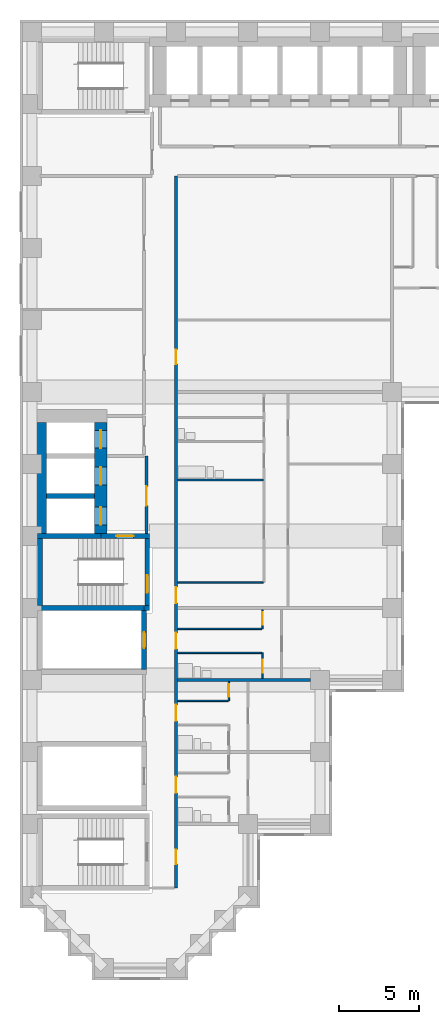
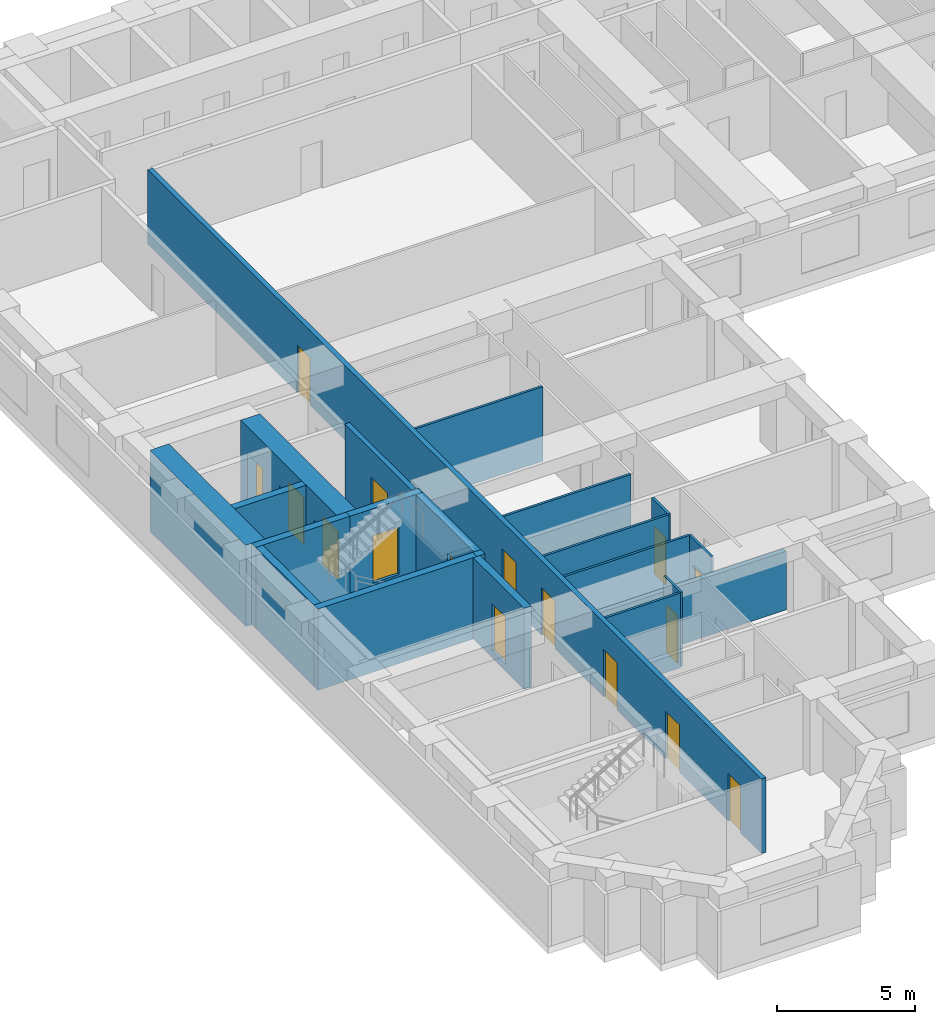
# One storey, part 3 of 12: 21 walls, 16 doors, 16 openings.
"""IFC4 building model written with IfcOpenShell, lengths in metres."""

from ifc_helpers import new_model, si_unit, direction, frame, frame_2d, origin, place, context, subcontext, project, spatial, rectangle, extrude, material, layer, layer_set, type_object, element, fill, save


model = new_model("IFC4")

# Units and contexts
model_context = context("Model", 3, precision=1e-05, world=origin(), true_north=direction((0.0, 1.0)))
body_context = subcontext(model_context, "Body", "Model", "MODEL_VIEW")
ifc_project = project(units=[si_unit("LENGTHUNIT", "METRE"), si_unit("AREAUNIT", "SQUARE_METRE"), si_unit("VOLUMEUNIT", "CUBIC_METRE"), si_unit("PLANEANGLEUNIT", "RADIAN"), si_unit("MASSUNIT", "GRAM", prefix="KILO")], contexts=[model_context])

# Site, building, storey
site_placement = place(None, origin())
site = spatial("IfcSite", under=ifc_project, at=site_placement, CompositionType="ELEMENT")
building_placement = place(site_placement, origin())
building = spatial("IfcBuilding", under=site, at=building_placement, Name="Firuza Court", CompositionType="ELEMENT")
storey_placement = place(building_placement, frame((0.0, 0.0, 43.39990234375)))
storey = spatial("IfcBuildingStorey", under=building, at=storey_placement, Name="L09", CompositionType="ELEMENT", Elevation=43.39990234375)

# Walls
ifc_material_1 = material(Name="Moisture-resistant gypsum board partition")
ifc_layer_1 = layer(ifc_material_1, 0.10009765625)
ifc_layer_set_1 = layer_set([ifc_layer_1], Name="Moisture-resistant gypsum board partition")
wall_type_1 = type_object("IfcWallType", Name="Bathroom partition 100", PredefinedType="PLUMBINGWALL", material=ifc_layer_set_1)
wall_1_placement = place(storey_placement, frame((9.10009765625, 19.699951171875, 0.0), z_axis=(0.0, 0.0, 1.0), x_axis=(1.0, 0.0, 0.0)))
element("IfcWall", 1, at=wall_1_placement, inside=storey, type_object=wall_type_1, Name="Bathroom partition 100 L09", PredefinedType="PLUMBINGWALL", context=body_context, shape_type="SweptSolid", body=[
    extrude(rectangle(XDim=5.25, YDim=0.10009765625, at=frame_2d((2.625, 0.0))), origin(), (0.0, 0.0, 1.0), 3.300048828125),
])
wall_2_placement = place(storey_placement, frame((9.10009765625, 30.5, 0.0), z_axis=(0.0, 0.0, 1.0), x_axis=(1.0, 0.0, 0.0)))
element("IfcWall", 2, at=wall_2_placement, inside=storey, type_object=wall_type_1, Name="Bathroom partition 100 L09", PredefinedType="PLUMBINGWALL", context=body_context, shape_type="SweptSolid", body=[
    extrude(rectangle(XDim=5.349853515625, YDim=0.10009765625, at=frame_2d((2.6748046875, 0.0))), origin(), (0.0, 0.0, 1.0), 3.300048828125),
])
ifc_material_2 = material(Name="Concrete C60/75", Category="concrete")
ifc_layer_2 = layer(ifc_material_2, 0.300048828125)
ifc_layer_set_2 = layer_set([ifc_layer_2], Name="Concrete C60/75")
wall_type_2 = type_object("IfcWallType", Name="Core wall 300 C60/75", PredefinedType="SHEAR", material=ifc_layer_set_2)
wall_3_placement = place(storey_placement, frame((0.35009765625, 22.5, -0.2998046875), z_axis=(0.0, 0.0, 1.0), x_axis=(1.0, 0.0, 0.0)))
element("IfcWall", 3, at=wall_3_placement, inside=storey, type_object=wall_type_2, Name="Core wall riser L09", PredefinedType="SHEAR", context=body_context, shape_type="SweptSolid", body=[
    extrude(rectangle(XDim=6.64990234375, YDim=0.300048828125, at=frame_2d((3.324951171875, 0.0))), origin(), (0.0, 0.0, 1.0), 3.599853515625),
])
wall_4_placement = place(storey_placement, frame((0.35009765625, 27.0, -0.2998046875), z_axis=(0.0, 0.0, 1.0), x_axis=(1.0, 0.0, 0.0)))
element("IfcWall", 4, at=wall_4_placement, inside=storey, type_object=wall_type_2, Name="Core wall lift shaft L09", PredefinedType="SHEAR", context=body_context, shape_type="SweptSolid", body=[
    extrude(rectangle(XDim=3.949951171875, YDim=0.300048828125, at=frame_2d((1.97509765625, 0.0))), origin(), (0.0, 0.0, 1.0), 3.599853515625),
])
wall_5_placement = place(storey_placement, frame((0.5, 22.64990234375, -0.2998046875), z_axis=(0.0, 0.0, 1.0), x_axis=(0.0, 1.0, 0.0)))
element("IfcWall", 5, at=wall_5_placement, inside=storey, type_object=wall_type_2, Name="Core wall stair L09", PredefinedType="SHEAR", context=body_context, shape_type="SweptSolid", body=[
    extrude(rectangle(XDim=4.2001953125, YDim=0.300048828125, at=frame_2d((2.10009765625, 0.0))), origin(), (0.0, 0.0, 1.0), 3.599853515625),
])
wall_6_placement = place(storey_placement, frame((0.89990234375, 29.5, -0.2998046875), z_axis=(0.0, 0.0, 1.0), x_axis=(1.0, 0.0, 0.0)))
element("IfcWall", 6, at=wall_6_placement, inside=storey, type_object=wall_type_2, Name="Core wall lift shaft L09", PredefinedType="SHEAR", context=body_context, shape_type="SweptSolid", body=[
    extrude(rectangle(XDim=3.0, YDim=0.300048828125, at=frame_2d((1.5, 0.0))), origin(), (0.0, 0.0, 1.0), 3.599853515625),
])

# Wall, opening, door
wall_7_placement = place(storey_placement, frame((4.300048828125, 27.0, -0.2998046875), z_axis=(0.0, 0.0, 1.0), x_axis=(1.0, 0.0, 0.0)))
wall_7 = element("IfcWall", 7, at=wall_7_placement, inside=storey, type_object=wall_type_2, Name="Core wall stair L09", PredefinedType="SHEAR", context=body_context, shape_type="SweptSolid", body=[
    extrude(rectangle(XDim=3.050048828125, YDim=0.300048828125, at=frame_2d((1.52490234375, 0.0))), origin(), (0.0, 0.0, 1.0), 3.599853515625),
])
opening_1_placement = place(wall_7_placement, frame((0.949951171875, 0.0, 0.300048828125)))
opening_1 = element("IfcOpeningElement", 8, at=opening_1_placement, cuts=wall_7, Name="Opening D09014", PredefinedType="OPENING", context=body_context, shape_type="SweptSolid", body=[
    extrude(rectangle(XDim=1.10009765625, YDim=2.10009765625, at=frame_2d((0.550048828125, 1.050048828125))), frame((0.0, 0.162109375, 0.0), z_axis=(0.0, -1.0, 0.0), x_axis=(1.0, 0.0, 0.0)), (0.0, 0.0, 1.0), 0.323974609375),
])
ifc_material_3 = material(Name="Timber door leaf in hardwood frame", Category="wood")
door_type_1 = type_object("IfcDoorType", Name="Stair door 1100", OperationType="SINGLE_SWING_LEFT", PredefinedType="DOOR", material=ifc_material_3)
door_1_placement = place(opening_1_placement, frame((1.10009765625, 0.0, 0.0), z_axis=(0.0, 0.0, 1.0), x_axis=(-1.0, 0.0, 0.0)))
door_1 = element("IfcDoor", 9, at=door_1_placement, inside=storey, type_object=door_type_1, Name="Fire-fighting lobby door", OperationType="SINGLE_SWING_LEFT", OverallHeight=2.10009765625, OverallWidth=1.10009765625, PredefinedType="DOOR", context=body_context, shape_type="SweptSolid", body=[
    extrude(rectangle(XDim=1.10009765625, YDim=2.10009765625, at=frame_2d((0.550048828125, 1.050048828125))), frame((0.0, 0.02490234375, 0.0), z_axis=(0.0, -1.0, 0.0), x_axis=(1.0, 0.0, 0.0)), (0.0, 0.0, 1.0), 0.050048828125),
])
fill(opening_1, door_1)

wall_8_placement = place(storey_placement, frame((7.0, 18.64990234375, -0.2998046875), z_axis=(0.0, 0.0, 1.0), x_axis=(0.0, 1.0, 0.0)))
wall_8 = element("IfcWall", 10, at=wall_8_placement, inside=storey, type_object=wall_type_2, Name="Core wall riser L09", PredefinedType="SHEAR", context=body_context, shape_type="SweptSolid", body=[
    extrude(rectangle(XDim=3.7001953125, YDim=0.300048828125, at=frame_2d((1.85009765625, 0.0))), origin(), (0.0, 0.0, 1.0), 3.599853515625),
])
opening_2_placement = place(wall_8_placement, frame((1.35009765625, 0.0, 0.300048828125)))
opening_2 = element("IfcOpeningElement", 11, at=opening_2_placement, cuts=wall_8, Name="Opening D09010", PredefinedType="OPENING", context=body_context, shape_type="SweptSolid", body=[
    extrude(rectangle(XDim=1.0, YDim=2.10009765625, at=frame_2d((0.5, 1.050048828125))), frame((0.0, 0.162109375, 0.0), z_axis=(0.0, -1.0, 0.0), x_axis=(1.0, 0.0, 0.0)), (0.0, 0.0, 1.0), 0.323974609375),
])
ifc_material_4 = material(Name="Timber door leaf in hardwood frame", Category="wood")
door_type_2 = type_object("IfcDoorType", Name="Riser door 1000", OperationType="SINGLE_SWING_LEFT", PredefinedType="DOOR", material=ifc_material_4)
door_2_placement = place(opening_2_placement, origin())
door_2 = element("IfcDoor", 12, at=door_2_placement, inside=storey, type_object=door_type_2, Name="Riser door R1", OperationType="SINGLE_SWING_LEFT", OverallHeight=2.10009765625, OverallWidth=1.0, PredefinedType="DOOR", context=body_context, shape_type="SweptSolid", body=[
    extrude(rectangle(XDim=1.0, YDim=2.10009765625, at=frame_2d((0.5, 1.050048828125))), frame((0.0, 0.02490234375, 0.0), z_axis=(0.0, -1.0, 0.0), x_axis=(1.0, 0.0, 0.0)), (0.0, 0.0, 1.0), 0.050048828125),
])
fill(opening_2, door_2)

# Wall
wall_9_placement = place(storey_placement, frame((7.0, 22.5, -0.2998046875), z_axis=(0.0, 0.0, 1.0), x_axis=(1.0, 0.0, 0.0)))
element("IfcWall", 13, at=wall_9_placement, inside=storey, type_object=wall_type_2, Name="Core wall stair L09", PredefinedType="SHEAR", context=body_context, shape_type="SweptSolid", body=[
    extrude(rectangle(XDim=0.35009765625, YDim=0.300048828125, at=frame_2d((0.175048828125, 0.0))), origin(), (0.0, 0.0, 1.0), 3.599853515625),
])

# Wall, opening, door
wall_10_placement = place(storey_placement, frame((7.199951171875, 22.64990234375, -0.2998046875), z_axis=(0.0, 0.0, 1.0), x_axis=(0.0, 1.0, 0.0)))
wall_10 = element("IfcWall", 14, at=wall_10_placement, inside=storey, type_object=wall_type_2, Name="Core wall stair L09", PredefinedType="SHEAR", context=body_context, shape_type="SweptSolid", body=[
    extrude(rectangle(XDim=4.2001953125, YDim=0.300048828125, at=frame_2d((2.10009765625, 0.0))), origin(), (0.0, 0.0, 1.0), 3.599853515625),
])
opening_3_placement = place(wall_10_placement, frame((0.800048828125, 0.0, 0.300048828125)))
opening_3 = element("IfcOpeningElement", 15, at=opening_3_placement, cuts=wall_10, Name="Opening D09015", PredefinedType="OPENING", context=body_context, shape_type="SweptSolid", body=[
    extrude(rectangle(XDim=1.10009765625, YDim=2.10009765625, at=frame_2d((0.550048828125, 1.050048828125))), frame((0.0, 0.162109375, 0.0), z_axis=(0.0, -1.0, 0.0), x_axis=(1.0, 0.0, 0.0)), (0.0, 0.0, 1.0), 0.323974609375),
])
door_3_placement = place(opening_3_placement, origin())
door_3 = element("IfcDoor", 16, at=door_3_placement, inside=storey, type_object=door_type_1, Name="Stair door S2", OperationType="SINGLE_SWING_LEFT", OverallHeight=2.10009765625, OverallWidth=1.10009765625, PredefinedType="DOOR", context=body_context, shape_type="SweptSolid", body=[
    extrude(rectangle(XDim=1.10009765625, YDim=2.10009765625, at=frame_2d((0.550048828125, 1.050048828125))), frame((0.0, 0.02490234375, 0.0), z_axis=(0.0, -1.0, 0.0), x_axis=(1.0, 0.0, 0.0)), (0.0, 0.0, 1.0), 0.050048828125),
])
fill(opening_3, door_3)

# Wall
ifc_layer_3 = layer(ifc_material_2, 0.800048828125)
ifc_layer_set_3 = layer_set([ifc_layer_3], Name="Concrete C60/75")
wall_type_3 = type_object("IfcWallType", Name="Core wall 800 C60/75", PredefinedType="SHEAR", material=ifc_layer_set_3)
wall_11_placement = place(storey_placement, frame((0.5, 27.14990234375, -0.2998046875), z_axis=(0.0, 0.0, 1.0), x_axis=(0.0, 1.0, 0.0)))
element("IfcWall", 17, at=wall_11_placement, inside=storey, type_object=wall_type_3, Name="Core wall lift shaft L09", PredefinedType="SHEAR", context=body_context, shape_type="SweptSolid", body=[
    extrude(rectangle(XDim=6.9501953125, YDim=0.800048828125, at=frame_2d((3.47509765625, 0.0))), origin(), (0.0, 0.0, 1.0), 3.599853515625),
])

# Wall, openings, doors
wall_12_placement = place(storey_placement, frame((4.300048828125, 27.14990234375, -0.2998046875), z_axis=(0.0, 0.0, 1.0), x_axis=(0.0, 1.0, 0.0)))
wall_12 = element("IfcWall", 18, at=wall_12_placement, inside=storey, type_object=wall_type_3, Name="Core wall lift shaft L09", PredefinedType="SHEAR", context=body_context, shape_type="SweptSolid", body=[
    extrude(rectangle(XDim=6.9501953125, YDim=0.800048828125, at=frame_2d((3.47509765625, 0.0))), origin(), (0.0, 0.0, 1.0), 3.599853515625),
])
opening_4_placement = place(wall_12_placement, frame((3.050048828125, 0.0, 0.300048828125)))
opening_4 = element("IfcOpeningElement", 19, at=opening_4_placement, cuts=wall_12, Name="Opening LD-FL1-09", PredefinedType="OPENING", context=body_context, shape_type="SweptSolid", body=[
    extrude(rectangle(XDim=1.10009765625, YDim=2.10009765625, at=frame_2d((0.550048828125, 1.050048828125))), frame((0.0, 0.412109375, 0.0), z_axis=(0.0, -1.0, 0.0), x_axis=(1.0, 0.0, 0.0)), (0.0, 0.0, 1.0), 0.823974609375),
])
opening_5_placement = place(wall_12_placement, frame((0.550048828125, 0.0, 0.300048828125)))
opening_5 = element("IfcOpeningElement", 20, at=opening_5_placement, cuts=wall_12, Name="Opening LD-FL2-09", PredefinedType="OPENING", context=body_context, shape_type="SweptSolid", body=[
    extrude(rectangle(XDim=1.10009765625, YDim=2.10009765625, at=frame_2d((0.550048828125, 1.050048828125))), frame((0.0, 0.412109375, 0.0), z_axis=(0.0, -1.0, 0.0), x_axis=(1.0, 0.0, 0.0)), (0.0, 0.0, 1.0), 0.823974609375),
])
opening_6_placement = place(wall_12_placement, frame((5.35009765625, 0.0, 0.300048828125)))
opening_6 = element("IfcOpeningElement", 21, at=opening_6_placement, cuts=wall_12, Name="Opening LD-SL1-09", PredefinedType="OPENING", context=body_context, shape_type="SweptSolid", body=[
    extrude(rectangle(XDim=1.10009765625, YDim=2.10009765625, at=frame_2d((0.550048828125, 1.050048828125))), frame((0.0, 0.412109375, 0.0), z_axis=(0.0, -1.0, 0.0), x_axis=(1.0, 0.0, 0.0)), (0.0, 0.0, 1.0), 0.823974609375),
])
ifc_material_5 = material(Name="Stainless steel 1.4301 door leaf", Category="steel")
door_type_3 = type_object("IfcDoorType", Name="Lift landing door 1100", OperationType="SLIDING_TO_LEFT", PredefinedType="DOOR", material=ifc_material_5)
door_4_placement = place(opening_4_placement, origin())
door_4 = element("IfcDoor", 22, at=door_4_placement, inside=storey, type_object=door_type_3, Name="Landing door FL1", OperationType="SLIDING_TO_LEFT", OverallHeight=2.10009765625, OverallWidth=1.10009765625, PredefinedType="DOOR", context=body_context, shape_type="SweptSolid", body=[
    extrude(rectangle(XDim=1.10009765625, YDim=2.10009765625, at=frame_2d((0.550048828125, 1.050048828125))), frame((0.0, 0.02490234375, 0.0), z_axis=(0.0, -1.0, 0.0), x_axis=(1.0, 0.0, 0.0)), (0.0, 0.0, 1.0), 0.050048828125),
])
fill(opening_4, door_4)
door_5_placement = place(opening_5_placement, origin())
door_5 = element("IfcDoor", 23, at=door_5_placement, inside=storey, type_object=door_type_3, Name="Landing door FL2", OperationType="SLIDING_TO_LEFT", OverallHeight=2.10009765625, OverallWidth=1.10009765625, PredefinedType="DOOR", context=body_context, shape_type="SweptSolid", body=[
    extrude(rectangle(XDim=1.10009765625, YDim=2.10009765625, at=frame_2d((0.550048828125, 1.050048828125))), frame((0.0, 0.02490234375, 0.0), z_axis=(0.0, -1.0, 0.0), x_axis=(1.0, 0.0, 0.0)), (0.0, 0.0, 1.0), 0.050048828125),
])
fill(opening_5, door_5)
door_6_placement = place(opening_6_placement, origin())
door_6 = element("IfcDoor", 24, at=door_6_placement, inside=storey, type_object=door_type_3, Name="Landing door SL1", OperationType="SLIDING_TO_LEFT", OverallHeight=2.10009765625, OverallWidth=1.10009765625, PredefinedType="DOOR", context=body_context, shape_type="SweptSolid", body=[
    extrude(rectangle(XDim=1.10009765625, YDim=2.10009765625, at=frame_2d((0.550048828125, 1.050048828125))), frame((0.0, 0.02490234375, 0.0), z_axis=(0.0, -1.0, 0.0), x_axis=(1.0, 0.0, 0.0)), (0.0, 0.0, 1.0), 0.050048828125),
])
fill(opening_6, door_6)

ifc_material_6 = material(Name="Blockwork, plastered both sides", Category="masonry")
ifc_layer_4 = layer(ifc_material_6, 0.199951171875)
ifc_layer_set_4 = layer_set([ifc_layer_4], Name="Blockwork, plastered both sides")
wall_type_4 = type_object("IfcWallType", Name="Corridor wall 200", PredefinedType="PARTITIONING", material=ifc_layer_set_4)
wall_13_placement = place(storey_placement, frame((9.0, 5.0, 0.0), z_axis=(0.0, 0.0, 1.0), x_axis=(0.0, 1.0, 0.0)))
wall_13 = element("IfcWall", 25, at=wall_13_placement, inside=storey, type_object=wall_type_4, Name="Corridor wall 200 L09", PredefinedType="PARTITIONING", context=body_context, shape_type="SweptSolid", body=[
    extrude(rectangle(XDim=44.5, YDim=0.199951171875, at=frame_2d((22.25, 0.0))), origin(), (0.0, 0.0, 1.0), 3.300048828125),
])
opening_7_placement = place(wall_13_placement, frame((17.800048828125, 0.0, 0.0)))
opening_7 = element("IfcOpeningElement", 26, at=opening_7_placement, cuts=wall_13, Name="Opening D09019", PredefinedType="OPENING", context=body_context, shape_type="SweptSolid", body=[
    extrude(rectangle(XDim=1.0, YDim=2.10009765625, at=frame_2d((0.5, 1.050048828125))), frame((0.0, 0.11181640625, 0.0), z_axis=(0.0, -1.0, 0.0), x_axis=(1.0, 0.0, 0.0)), (0.0, 0.0, 1.0), 0.223876953125),
])
opening_8_placement = place(wall_13_placement, frame((14.949951171875, 0.0, 0.0)))
opening_8 = element("IfcOpeningElement", 27, at=opening_8_placement, cuts=wall_13, Name="Opening D09020", PredefinedType="OPENING", context=body_context, shape_type="SweptSolid", body=[
    extrude(rectangle(XDim=1.0, YDim=2.10009765625, at=frame_2d((0.5, 1.050048828125))), frame((0.0, 0.11181640625, 0.0), z_axis=(0.0, -1.0, 0.0), x_axis=(1.0, 0.0, 0.0)), (0.0, 0.0, 1.0), 0.223876953125),
])
opening_9_placement = place(wall_13_placement, frame((10.449951171875, 0.0, 0.0)))
opening_9 = element("IfcOpeningElement", 28, at=opening_9_placement, cuts=wall_13, Name="Opening D09021", PredefinedType="OPENING", context=body_context, shape_type="SweptSolid", body=[
    extrude(rectangle(XDim=1.0, YDim=2.10009765625, at=frame_2d((0.5, 1.050048828125))), frame((0.0, 0.11181640625, 0.0), z_axis=(0.0, -1.0, 0.0), x_axis=(1.0, 0.0, 0.0)), (0.0, 0.0, 1.0), 0.223876953125),
])
opening_10_placement = place(wall_13_placement, frame((5.949951171875, 0.0, 0.0)))
opening_10 = element("IfcOpeningElement", 29, at=opening_10_placement, cuts=wall_13, Name="Opening D09022", PredefinedType="OPENING", context=body_context, shape_type="SweptSolid", body=[
    extrude(rectangle(XDim=1.0, YDim=2.10009765625, at=frame_2d((0.5, 1.050048828125))), frame((0.0, 0.11181640625, 0.0), z_axis=(0.0, -1.0, 0.0), x_axis=(1.0, 0.0, 0.0)), (0.0, 0.0, 1.0), 0.223876953125),
])
opening_11_placement = place(wall_13_placement, frame((32.75, 0.0, 0.0)))
opening_11 = element("IfcOpeningElement", 30, at=opening_11_placement, cuts=wall_13, Name="Opening D09023", PredefinedType="OPENING", context=body_context, shape_type="SweptSolid", body=[
    extrude(rectangle(XDim=0.89990234375, YDim=2.10009765625, at=frame_2d((0.449951171875, 1.050048828125))), frame((0.0, 0.11181640625, 0.0), z_axis=(0.0, -1.0, 0.0), x_axis=(1.0, 0.0, 0.0)), (0.0, 0.0, 1.0), 0.223876953125),
])
opening_12_placement = place(wall_13_placement, frame((1.5, 0.0, 0.0)))
opening_12 = element("IfcOpeningElement", 31, at=opening_12_placement, cuts=wall_13, Name="Opening D09024", PredefinedType="OPENING", context=body_context, shape_type="SweptSolid", body=[
    extrude(rectangle(XDim=0.89990234375, YDim=2.10009765625, at=frame_2d((0.449951171875, 1.050048828125))), frame((0.0, 0.11181640625, 0.0), z_axis=(0.0, -1.0, 0.0), x_axis=(1.0, 0.0, 0.0)), (0.0, 0.0, 1.0), 0.223876953125),
])
ifc_material_7 = material(Name="Timber door leaf in hardwood frame", Category="wood")
door_type_4 = type_object("IfcDoorType", Name="Flat entrance door 1000", OperationType="SINGLE_SWING_LEFT", PredefinedType="DOOR", material=ifc_material_7)
door_7_placement = place(opening_7_placement, origin())
door_7 = element("IfcDoor", 32, at=door_7_placement, inside=storey, type_object=door_type_4, Name="Flat entrance door", OperationType="SINGLE_SWING_LEFT", OverallHeight=2.10009765625, OverallWidth=1.0, PredefinedType="DOOR", context=body_context, shape_type="SweptSolid", body=[
    extrude(rectangle(XDim=1.0, YDim=2.10009765625, at=frame_2d((0.5, 1.050048828125))), frame((0.0, 0.02490234375, 0.0), z_axis=(0.0, -1.0, 0.0), x_axis=(1.0, 0.0, 0.0)), (0.0, 0.0, 1.0), 0.050048828125),
])
fill(opening_7, door_7)
door_8_placement = place(opening_8_placement, origin())
door_8 = element("IfcDoor", 33, at=door_8_placement, inside=storey, type_object=door_type_4, Name="Flat entrance door", OperationType="SINGLE_SWING_LEFT", OverallHeight=2.10009765625, OverallWidth=1.0, PredefinedType="DOOR", context=body_context, shape_type="SweptSolid", body=[
    extrude(rectangle(XDim=1.0, YDim=2.10009765625, at=frame_2d((0.5, 1.050048828125))), frame((0.0, 0.02490234375, 0.0), z_axis=(0.0, -1.0, 0.0), x_axis=(1.0, 0.0, 0.0)), (0.0, 0.0, 1.0), 0.050048828125),
])
fill(opening_8, door_8)
door_9_placement = place(opening_9_placement, origin())
door_9 = element("IfcDoor", 34, at=door_9_placement, inside=storey, type_object=door_type_4, Name="Flat entrance door", OperationType="SINGLE_SWING_LEFT", OverallHeight=2.10009765625, OverallWidth=1.0, PredefinedType="DOOR", context=body_context, shape_type="SweptSolid", body=[
    extrude(rectangle(XDim=1.0, YDim=2.10009765625, at=frame_2d((0.5, 1.050048828125))), frame((0.0, 0.02490234375, 0.0), z_axis=(0.0, -1.0, 0.0), x_axis=(1.0, 0.0, 0.0)), (0.0, 0.0, 1.0), 0.050048828125),
])
fill(opening_9, door_9)
door_10_placement = place(opening_10_placement, origin())
door_10 = element("IfcDoor", 35, at=door_10_placement, inside=storey, type_object=door_type_4, Name="Flat entrance door", OperationType="SINGLE_SWING_LEFT", OverallHeight=2.10009765625, OverallWidth=1.0, PredefinedType="DOOR", context=body_context, shape_type="SweptSolid", body=[
    extrude(rectangle(XDim=1.0, YDim=2.10009765625, at=frame_2d((0.5, 1.050048828125))), frame((0.0, 0.02490234375, 0.0), z_axis=(0.0, -1.0, 0.0), x_axis=(1.0, 0.0, 0.0)), (0.0, 0.0, 1.0), 0.050048828125),
])
fill(opening_10, door_10)
ifc_material_8 = material(Name="Timber door leaf in hardwood frame", Category="wood")
door_type_5 = type_object("IfcDoorType", Name="Room door 900 EI 30", OperationType="SINGLE_SWING_LEFT", PredefinedType="DOOR", material=ifc_material_8)
door_11_placement = place(opening_11_placement, origin())
door_11 = element("IfcDoor", 36, at=door_11_placement, inside=storey, type_object=door_type_5, Name="Fitness studio door", OperationType="SINGLE_SWING_LEFT", OverallHeight=2.10009765625, OverallWidth=0.89990234375, PredefinedType="DOOR", context=body_context, shape_type="SweptSolid", body=[
    extrude(rectangle(XDim=0.89990234375, YDim=2.10009765625, at=frame_2d((0.449951171875, 1.050048828125))), frame((0.0, 0.02490234375, 0.0), z_axis=(0.0, -1.0, 0.0), x_axis=(1.0, 0.0, 0.0)), (0.0, 0.0, 1.0), 0.050048828125),
])
fill(opening_11, door_11)
door_12_placement = place(opening_12_placement, frame((0.89990234375, 0.0, 0.0), z_axis=(0.0, 0.0, 1.0), x_axis=(-1.0, 0.0, 0.0)))
door_12 = element("IfcDoor", 37, at=door_12_placement, inside=storey, type_object=door_type_5, Name="Meeting room door", OperationType="SINGLE_SWING_LEFT", OverallHeight=2.10009765625, OverallWidth=0.89990234375, PredefinedType="DOOR", context=body_context, shape_type="SweptSolid", body=[
    extrude(rectangle(XDim=0.89990234375, YDim=2.10009765625, at=frame_2d((0.449951171875, 1.050048828125))), frame((0.0, 0.02490234375, 0.0), z_axis=(0.0, -1.0, 0.0), x_axis=(1.0, 0.0, 0.0)), (0.0, 0.0, 1.0), 0.050048828125),
])
fill(opening_12, door_12)

# Wall
ifc_material_9 = material(Name="Timber stud partition, plasterboard both sides", Category="wood")
ifc_layer_5 = layer(ifc_material_9, 0.10009765625)
ifc_layer_set_5 = layer_set([ifc_layer_5], Name="Timber stud partition, plasterboard both sides")
wall_type_5 = type_object("IfcWallType", Name="Partition wall 100", PredefinedType="PARTITIONING", material=ifc_layer_set_5)
wall_14_placement = place(storey_placement, frame((9.10009765625, 16.699951171875, 0.0), z_axis=(0.0, 0.0, 1.0), x_axis=(1.0, 0.0, 0.0)))
element("IfcWall", 38, at=wall_14_placement, inside=storey, type_object=wall_type_5, Name="Partition wall 100 L09", PredefinedType="PARTITIONING", context=body_context, shape_type="SweptSolid", body=[
    extrude(rectangle(XDim=3.14990234375, YDim=0.10009765625, at=frame_2d((1.574951171875, 0.0))), origin(), (0.0, 0.0, 1.0), 3.300048828125),
])

# Wall, opening, door
wall_15_placement = place(storey_placement, frame((12.300048828125, 16.699951171875, 0.0), z_axis=(0.0, 0.0, 1.0), x_axis=(0.0, 1.0, 0.0)))
wall_15 = element("IfcWall", 39, at=wall_15_placement, inside=storey, type_object=wall_type_5, Name="Partition wall 100 L09", PredefinedType="PARTITIONING", context=body_context, shape_type="SweptSolid", body=[
    extrude(rectangle(XDim=1.199951171875, YDim=0.10009765625, at=frame_2d((0.60009765625, 0.0))), origin(), (0.0, 0.0, 1.0), 3.300048828125),
])
opening_13_placement = place(wall_15_placement, frame((0.25, 0.0, 0.0)))
opening_13 = element("IfcOpeningElement", 40, at=opening_13_placement, cuts=wall_15, Name="Opening D09031", PredefinedType="OPENING", context=body_context, shape_type="SweptSolid", body=[
    extrude(rectangle(XDim=0.800048828125, YDim=2.10009765625, at=frame_2d((0.39990234375, 1.050048828125))), frame((0.0, 0.06201171875, 0.0), z_axis=(0.0, -1.0, 0.0), x_axis=(1.0, 0.0, 0.0)), (0.0, 0.0, 1.0), 0.1240234375),
])
ifc_material_10 = material(Name="Timber door leaf in hardwood frame", Category="wood")
door_type_6 = type_object("IfcDoorType", Name="Room door 800", OperationType="SINGLE_SWING_LEFT", PredefinedType="DOOR", material=ifc_material_10)
door_13_placement = place(opening_13_placement, origin())
door_13 = element("IfcDoor", 41, at=door_13_placement, inside=storey, type_object=door_type_6, Name="Kitchen door", OperationType="SINGLE_SWING_LEFT", OverallHeight=2.10009765625, OverallWidth=0.800048828125, PredefinedType="DOOR", context=body_context, shape_type="SweptSolid", body=[
    extrude(rectangle(XDim=0.800048828125, YDim=2.10009765625, at=frame_2d((0.39990234375, 1.050048828125))), frame((0.0, 0.02490234375, 0.0), z_axis=(0.0, -1.0, 0.0), x_axis=(1.0, 0.0, 0.0)), (0.0, 0.0, 1.0), 0.050048828125),
])
fill(opening_13, door_13)

wall_16_placement = place(storey_placement, frame((14.39990234375, 18.10009765625, 0.0), z_axis=(0.0, 0.0, 1.0), x_axis=(0.0, 1.0, 0.0)))
wall_16 = element("IfcWall", 42, at=wall_16_placement, inside=storey, type_object=wall_type_5, Name="Partition wall 100 L09", PredefinedType="PARTITIONING", context=body_context, shape_type="SweptSolid", body=[
    extrude(rectangle(XDim=1.599853515625, YDim=0.10009765625, at=frame_2d((0.7998046875, 0.0))), origin(), (0.0, 0.0, 1.0), 3.300048828125),
])
opening_14_placement = place(wall_16_placement, frame((0.35009765625, 0.0, 0.0)))
opening_14 = element("IfcOpeningElement", 43, at=opening_14_placement, cuts=wall_16, Name="Opening D09032", PredefinedType="OPENING", context=body_context, shape_type="SweptSolid", body=[
    extrude(rectangle(XDim=0.800048828125, YDim=2.10009765625, at=frame_2d((0.39990234375, 1.050048828125))), frame((0.0, 0.06201171875, 0.0), z_axis=(0.0, -1.0, 0.0), x_axis=(1.0, 0.0, 0.0)), (0.0, 0.0, 1.0), 0.1240234375),
])
ifc_material_11 = material(Name="Timber door leaf in hardwood frame", Category="wood")
door_type_7 = type_object("IfcDoorType", Name="Bathroom door 800", OperationType="SINGLE_SWING_LEFT", PredefinedType="DOOR", material=ifc_material_11)
door_14_placement = place(opening_14_placement, origin())
door_14 = element("IfcDoor", 44, at=door_14_placement, inside=storey, type_object=door_type_7, Name="Bathroom door", OperationType="SINGLE_SWING_LEFT", OverallHeight=2.10009765625, OverallWidth=0.800048828125, PredefinedType="DOOR", context=body_context, shape_type="SweptSolid", body=[
    extrude(rectangle(XDim=0.800048828125, YDim=2.10009765625, at=frame_2d((0.39990234375, 1.050048828125))), frame((0.0, 0.02490234375, 0.0), z_axis=(0.0, -1.0, 0.0), x_axis=(1.0, 0.0, 0.0)), (0.0, 0.0, 1.0), 0.050048828125),
])
fill(opening_14, door_14)

# Wall
wall_17_placement = place(storey_placement, frame((9.10009765625, 21.199951171875, 0.0), z_axis=(0.0, 0.0, 1.0), x_axis=(1.0, 0.0, 0.0)))
element("IfcWall", 45, at=wall_17_placement, inside=storey, type_object=wall_type_5, Name="Partition wall 100 L09", PredefinedType="PARTITIONING", context=body_context, shape_type="SweptSolid", body=[
    extrude(rectangle(XDim=5.25, YDim=0.10009765625, at=frame_2d((2.625, 0.0))), origin(), (0.0, 0.0, 1.0), 3.300048828125),
])

# Wall, opening, door
wall_18_placement = place(storey_placement, frame((14.39990234375, 21.199951171875, 0.0), z_axis=(0.0, 0.0, 1.0), x_axis=(0.0, 1.0, 0.0)))
wall_18 = element("IfcWall", 46, at=wall_18_placement, inside=storey, type_object=wall_type_5, Name="Partition wall 100 L09", PredefinedType="PARTITIONING", context=body_context, shape_type="SweptSolid", body=[
    extrude(rectangle(XDim=1.199951171875, YDim=0.10009765625, at=frame_2d((0.60009765625, 0.0))), origin(), (0.0, 0.0, 1.0), 3.300048828125),
])
opening_15_placement = place(wall_18_placement, frame((0.25, 0.0, 0.0)))
opening_15 = element("IfcOpeningElement", 47, at=opening_15_placement, cuts=wall_18, Name="Opening D09034", PredefinedType="OPENING", context=body_context, shape_type="SweptSolid", body=[
    extrude(rectangle(XDim=0.800048828125, YDim=2.10009765625, at=frame_2d((0.39990234375, 1.050048828125))), frame((0.0, 0.06201171875, 0.0), z_axis=(0.0, -1.0, 0.0), x_axis=(1.0, 0.0, 0.0)), (0.0, 0.0, 1.0), 0.1240234375),
])
door_15_placement = place(opening_15_placement, origin())
door_15 = element("IfcDoor", 48, at=door_15_placement, inside=storey, type_object=door_type_6, Name="Kitchen door", OperationType="SINGLE_SWING_LEFT", OverallHeight=2.10009765625, OverallWidth=0.800048828125, PredefinedType="DOOR", context=body_context, shape_type="SweptSolid", body=[
    extrude(rectangle(XDim=0.800048828125, YDim=2.10009765625, at=frame_2d((0.39990234375, 1.050048828125))), frame((0.0, 0.02490234375, 0.0), z_axis=(0.0, -1.0, 0.0), x_axis=(1.0, 0.0, 0.0)), (0.0, 0.0, 1.0), 0.050048828125),
])
fill(opening_15, door_15)

# Walls
wall_19_placement = place(storey_placement, frame((9.10009765625, 24.10009765625, 0.0), z_axis=(0.0, 0.0, 1.0), x_axis=(1.0, 0.0, 0.0)))
element("IfcWall", 49, at=wall_19_placement, inside=storey, type_object=wall_type_5, Name="Partition wall 100 L09", PredefinedType="PARTITIONING", context=body_context, shape_type="SweptSolid", body=[
    extrude(rectangle(XDim=5.349853515625, YDim=0.10009765625, at=frame_2d((2.6748046875, 0.0))), origin(), (0.0, 0.0, 1.0), 3.300048828125),
])
ifc_layer_6 = layer(ifc_material_6, 0.199951171875)
ifc_layer_set_6 = layer_set([ifc_layer_6], Name="Blockwork, plastered both sides")
wall_type_6 = type_object("IfcWallType", Name="Party wall 200", PredefinedType="PARTITIONING", material=ifc_layer_set_6)
wall_20_placement = place(storey_placement, frame((9.10009765625, 18.0, 0.0), z_axis=(0.0, 0.0, 1.0), x_axis=(1.0, 0.0, 0.0)))
element("IfcWall", 50, at=wall_20_placement, inside=storey, type_object=wall_type_6, Name="Party wall 200 L09", PredefinedType="PARTITIONING", context=body_context, shape_type="SweptSolid", body=[
    extrude(rectangle(XDim=8.2998046875, YDim=0.199951171875, at=frame_2d((4.14990234375, 0.0))), origin(), (0.0, 0.0, 1.0), 2.60009765625),
])

# Wall, opening, door
ifc_material_12 = material(Name="Blockwork, fire-rated", Category="masonry")
ifc_layer_7 = layer(ifc_material_12, 0.199951171875)
ifc_layer_set_7 = layer_set([ifc_layer_7], Name="Blockwork, fire-rated")
wall_type_7 = type_object("IfcWallType", Name="Shaft wall 200", PredefinedType="PARTITIONING", material=ifc_layer_set_7)
wall_21_placement = place(storey_placement, frame((7.14990234375, 27.169921875, 0.0), z_axis=(0.0, 0.0, 1.0), x_axis=(0.0, 1.0, 0.0)))
wall_21 = element("IfcWall", 51, at=wall_21_placement, inside=storey, type_object=wall_type_7, Name="Shaft wall 200 L09", PredefinedType="PARTITIONING", context=body_context, shape_type="SweptSolid", body=[
    extrude(rectangle(XDim=4.830078125, YDim=0.199951171875, at=frame_2d((2.4150390625, 0.0))), origin(), (0.0, 0.0, 1.0), 3.300048828125),
])
opening_16_placement = place(wall_21_placement, frame((1.72998046875, 0.0, 0.0)))
opening_16 = element("IfcOpeningElement", 52, at=opening_16_placement, cuts=wall_21, Name="Opening D09002", PredefinedType="OPENING", context=body_context, shape_type="SweptSolid", body=[
    extrude(rectangle(XDim=1.199951171875, YDim=2.10009765625, at=frame_2d((0.60009765625, 1.050048828125))), frame((0.0, 0.11181640625, 0.0), z_axis=(0.0, -1.0, 0.0), x_axis=(1.0, 0.0, 0.0)), (0.0, 0.0, 1.0), 0.223876953125),
])
ifc_material_13 = material(Name="Timber door leaf in hardwood frame", Category="wood")
door_type_8 = type_object("IfcDoorType", Name="Lobby door 1200", OperationType="SINGLE_SWING_LEFT", PredefinedType="DOOR", material=ifc_material_13)
door_16_placement = place(opening_16_placement, origin())
door_16 = element("IfcDoor", 53, at=door_16_placement, inside=storey, type_object=door_type_8, Name="Fire-fighting lobby door", OperationType="SINGLE_SWING_LEFT", OverallHeight=2.10009765625, OverallWidth=1.199951171875, PredefinedType="DOOR", context=body_context, shape_type="SweptSolid", body=[
    extrude(rectangle(XDim=1.199951171875, YDim=2.10009765625, at=frame_2d((0.60009765625, 1.050048828125))), frame((0.0, 0.02490234375, 0.0), z_axis=(0.0, -1.0, 0.0), x_axis=(1.0, 0.0, 0.0)), (0.0, 0.0, 1.0), 0.050048828125),
])
fill(opening_16, door_16)

save(model, "model.ifc")
